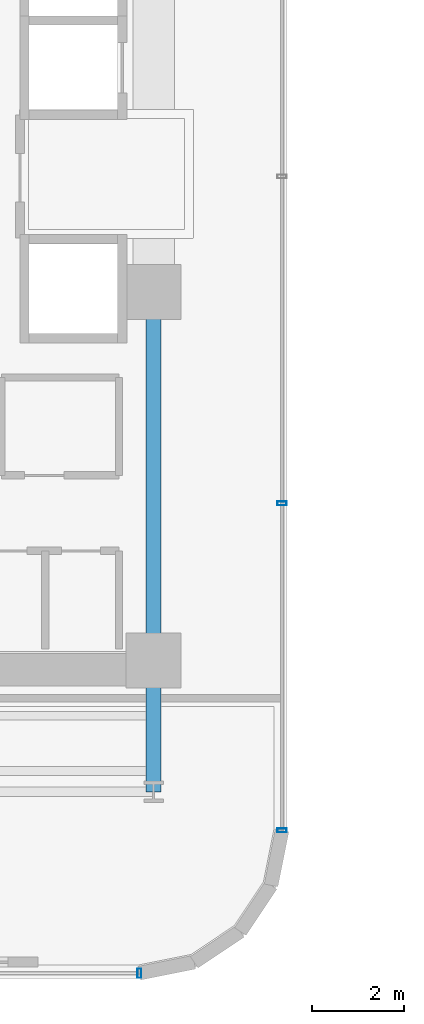
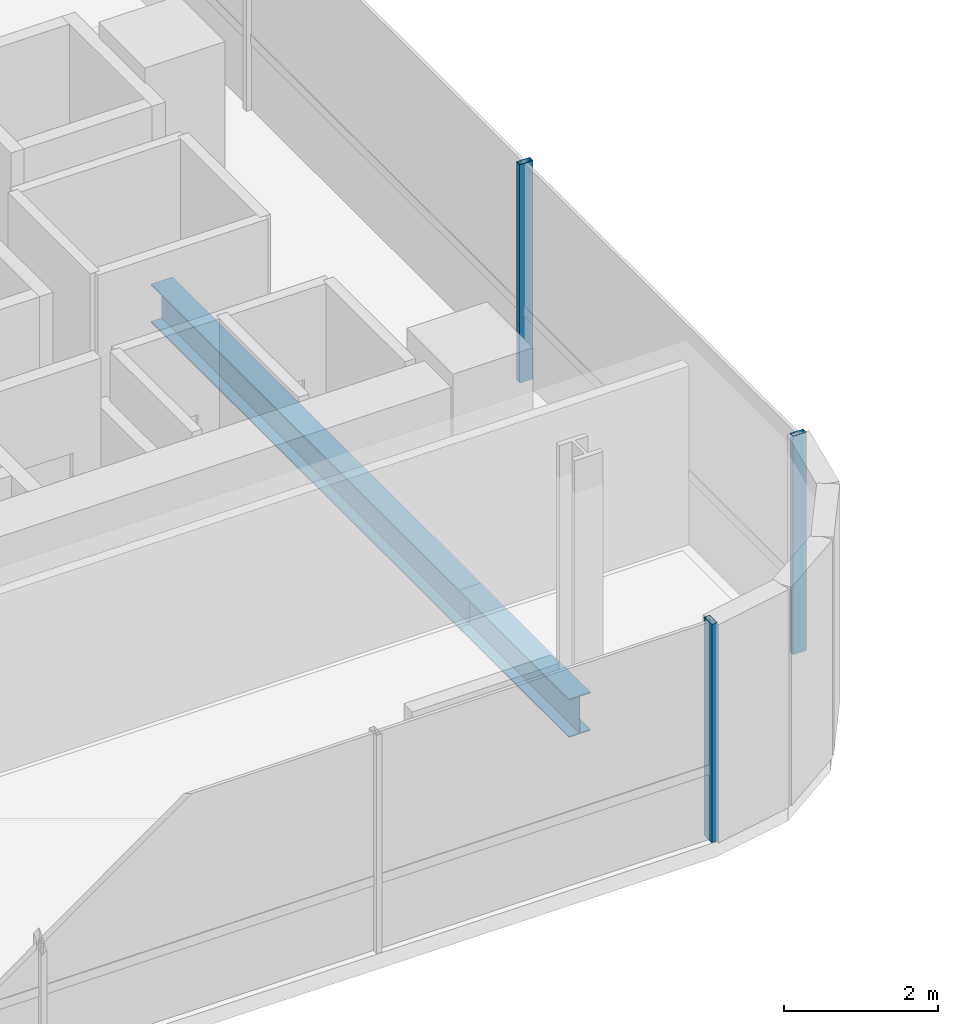
# One storey, part 6 of 35: 3 members, 2 beams, 2 elements without a shape of their own.
"""IFC4 building model written with IfcOpenShell, lengths in metres."""

from ifc_helpers import new_model, si_unit, direction, frame, origin, origin_2d, place, context, subcontext, project, spatial, hollow_rectangle, i_section, extrude, source, transform, mapped, material, material_profile, profile_set, type_object, element, aggregate, save


model = new_model("IFC4")

# Units and contexts
model_context = context("Model", 3, precision=1e-05, world=origin(), true_north=direction((0.0, 1.0)))
body_context = subcontext(model_context, "Body", "Model", "MODEL_VIEW")
ifc_project = project(units=[si_unit("LENGTHUNIT", "METRE"), si_unit("AREAUNIT", "SQUARE_METRE"), si_unit("VOLUMEUNIT", "CUBIC_METRE"), si_unit("PLANEANGLEUNIT", "RADIAN"), si_unit("MASSUNIT", "GRAM", prefix="KILO")], contexts=[model_context])

# Site, building, storey
site_placement = place(None, origin())
site = spatial("IfcSite", under=ifc_project, at=site_placement, CompositionType="ELEMENT")
building_placement = place(site_placement, origin())
building = spatial("IfcBuilding", under=site, at=building_placement, Name="Valdorenza Pilgrim Sanctuary Tower", CompositionType="ELEMENT")
storey_placement = place(building_placement, frame((0.0, 0.0, 116.800048828125)))
storey = spatial("IfcBuildingStorey", under=building, at=storey_placement, Name="L29", CompositionType="ELEMENT", Elevation=116.800048828125)

# Beams
ifc_material_1 = material(Name="Steel ASTM A992 Grade 50", Category="steel")
ifc_material_profile_1 = material_profile(ifc_material_1, i_section(OverallWidth=0.323974609375, OverallDepth=0.611083984375, WebThickness=0.0126953125, FlangeThickness=0.01904296875, at=origin_2d()), Name="W24X104")
ifc_profile_set_1 = profile_set([ifc_material_profile_1], Name="Steel ASTM A992 Grade 50")
beam_type = type_object("IfcBeamType", Name="STR-BM-GRD-W24B", PredefinedType="BEAM", material=ifc_profile_set_1)
shared_shape_1 = source(origin(), body_context, "Body", "SweptSolid", [
    extrude(i_section(OverallWidth=0.323974609375, OverallDepth=0.611083984375, WebThickness=0.0126953125, FlangeThickness=0.01904296875, at=origin_2d()), origin(), (0.0, 0.0, 1.0), 8.0),
])
beam_1_placement = place(storey_placement, frame((-12.39990234375, -10.60009765625, -0.545654296875), z_axis=(0.0, 1.0, 0.0), x_axis=(-1.0, 0.0, 0.0)))
element("IfcBeam", 1, at=beam_1_placement, inside=storey, type_object=beam_type, Name="L29 Core Tie Girder CA-E-S1M0", PredefinedType="BEAM", context=body_context, shape_type="MappedRepresentation", body=[
    mapped(shared_shape_1, transform((0.0, 0.0, 0.0), x_axis=(1.0, 0.0, 0.0), y_axis=(0.0, 1.0, 0.0), z_axis=(0.0, 0.0, 1.0), scale=1.0)),
])
shared_shape_2 = source(origin(), body_context, "Body", "SweptSolid", [
    extrude(i_section(OverallWidth=0.323974609375, OverallDepth=0.611083984375, WebThickness=0.0126953125, FlangeThickness=0.01904296875, at=origin_2d()), origin(), (0.0, 0.0, 1.0), 2.849853515625),
])
beam_2_placement = place(storey_placement, frame((-12.39990234375, -13.449951171875, -0.545654296875), z_axis=(0.0, 1.0, 0.0), x_axis=(-1.0, 0.0, 0.0)))
element("IfcBeam", 2, at=beam_2_placement, inside=storey, type_object=beam_type, Name="L29 Floor Girder WA-S-LE", PredefinedType="BEAM", context=body_context, shape_type="MappedRepresentation", body=[
    mapped(shared_shape_2, transform((0.0, 0.0, 0.0), x_axis=(1.0, 0.0, 0.0), y_axis=(0.0, 1.0, 0.0), z_axis=(0.0, 0.0, 1.0), scale=1.0)),
])

# Curtain wall, members
ifc_material_2 = material(Name="Curtain-wall IGU glazing", Category="glass")
curtain_wall_type = type_object("IfcCurtainWallType", Name="CW-SYS-02", PredefinedType="NOTDEFINED", material=ifc_material_2)
curtain_wall_1_placement = place(storey_placement, origin())
curtain_wall_1 = element("IfcCurtainWall", 3, at=curtain_wall_1_placement, inside=storey, type_object=curtain_wall_type, Name="L29 Curtain Wall CW-L29-1-41", PredefinedType="NOTDEFINED")
ifc_material_3 = material(Name="Anodised aluminium AW-6060", Category="aluminium")
ifc_material_profile_2 = material_profile(ifc_material_3, hollow_rectangle(XDim=0.0849609375, YDim=0.199951171875, WallThickness=0.0048828125, at=origin_2d()), Name="ALU-M 200x85x5")
ifc_profile_set_2 = profile_set([ifc_material_profile_2], Name="Anodised aluminium AW-6060")
member_type = type_object("IfcMemberType", Name="CW-MUL-02", PredefinedType="MULLION", material=ifc_profile_set_2)
shared_shape_3 = source(origin(), body_context, "Body", "SweptSolid", [
    extrude(hollow_rectangle(XDim=0.0849609375, YDim=0.199951171875, WallThickness=0.0048828125, at=origin_2d()), origin(), (0.0, 0.0, 1.0), 3.4599609375),
])
member_1_placement = place(storey_placement, frame((-9.610107421875, -7.189208984375, 0.0), z_axis=(0.0, 0.0, 1.0), x_axis=(0.0, -1.0, 0.0)))
member_1 = element("IfcMember", 4, at=member_1_placement, type_object=member_type, Name="CW-L29-1-41 Mullion 3", PredefinedType="MULLION", context=body_context, shape_type="MappedRepresentation", body=[
    mapped(shared_shape_3, transform((0.0, 0.0, 0.0), x_axis=(1.0, 0.0, 0.0), y_axis=(0.0, 1.0, 0.0), z_axis=(0.0, 0.0, 1.0), scale=1.0)),
])
member_2_placement = place(storey_placement, frame((-9.610107421875, -14.289306640625, 0.0), z_axis=(0.0, 0.0, 1.0), x_axis=(0.0, -1.0, 0.0)))
member_2 = element("IfcMember", 5, at=member_2_placement, type_object=member_type, Name="CW-L29-1-41 Mullion 4", PredefinedType="MULLION", context=body_context, shape_type="MappedRepresentation", body=[
    mapped(shared_shape_3, transform((0.0, 0.0, 0.0), x_axis=(1.0, 0.0, 0.0), y_axis=(0.0, 1.0, 0.0), z_axis=(0.0, 0.0, 1.0), scale=1.0)),
])
aggregate(curtain_wall_1, [member_1, member_2])

# Curtain wall, member
curtain_wall_2_placement = place(storey_placement, origin())
curtain_wall_2 = element("IfcCurtainWall", 6, at=curtain_wall_2_placement, inside=storey, type_object=curtain_wall_type, Name="L29 Curtain Wall CW-L29-1-46", PredefinedType="NOTDEFINED")
member_3_placement = place(storey_placement, frame((-12.710693359375, -17.389892578125, 0.0), z_axis=(0.0, 0.0, 1.0), x_axis=(-1.0, 0.0, 0.0)))
member_3 = element("IfcMember", 7, at=member_3_placement, type_object=member_type, Name="CW-L29-1-46 Mullion 1", PredefinedType="MULLION", context=body_context, shape_type="MappedRepresentation", body=[
    mapped(shared_shape_3, transform((0.0, 0.0, 0.0), x_axis=(1.0, 0.0, 0.0), y_axis=(0.0, 1.0, 0.0), z_axis=(0.0, 0.0, 1.0), scale=1.0)),
])
aggregate(curtain_wall_2, [member_3])

save(model, "model.ifc")
